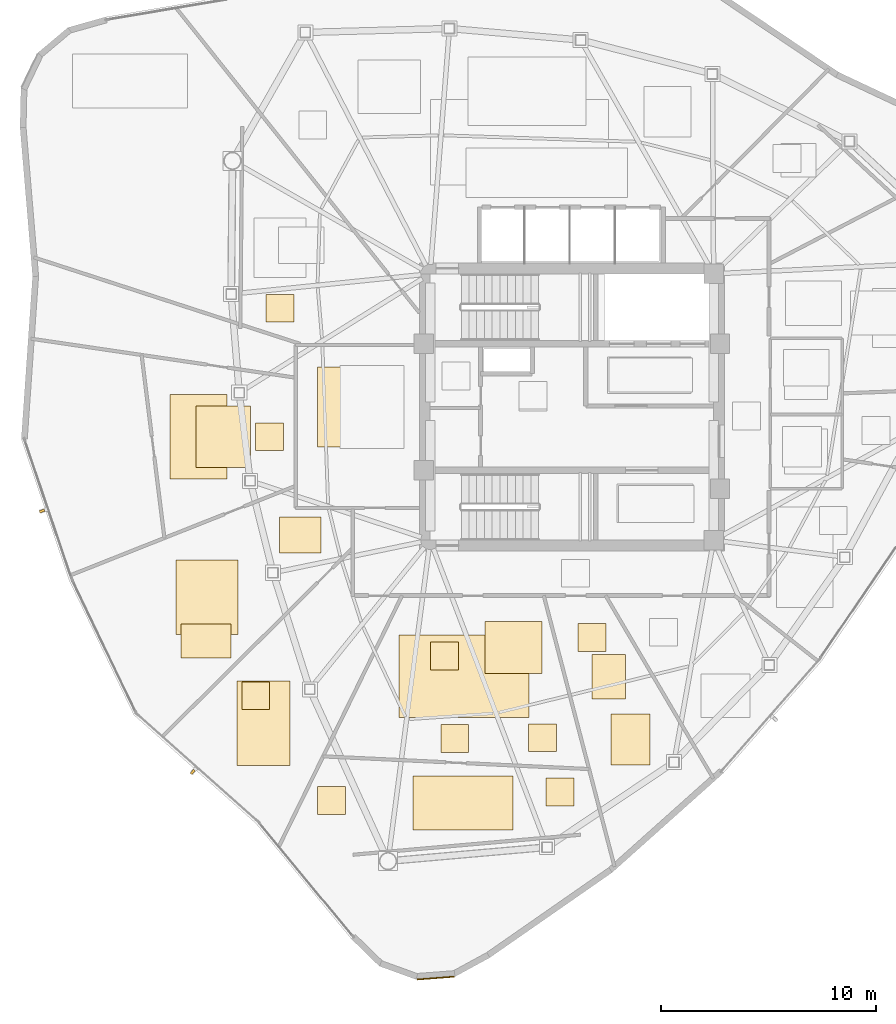
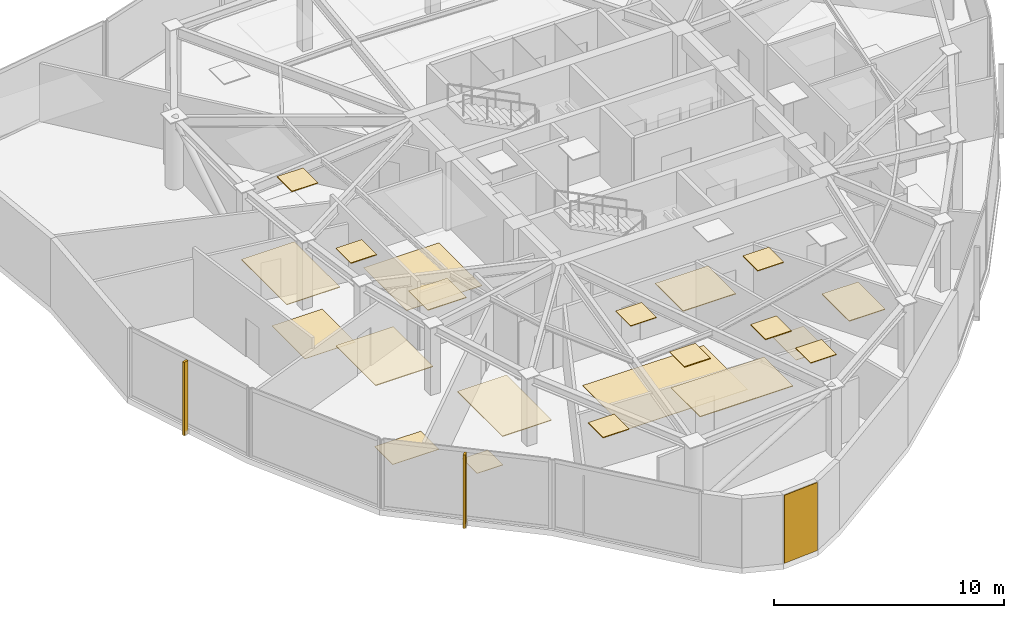
# One storey, part 11 of 13: 22 coverings, 2 shading devices.
"""IFC4 building model written with IfcOpenShell, lengths in metres."""

from ifc_helpers import new_model, si_unit, direction, frame, origin, origin_2d, place, context, subcontext, project, spatial, polyline, rectangle, outline, extrude, source, transform, mapped, material, layer, layer_set, type_object, type_shapes, element, save


model = new_model("IFC4")

# Units and contexts
model_context = context("Model", 3, precision=1e-05, world=origin(), true_north=direction((0.0, 1.0)))
body_context = subcontext(model_context, "Body", "Model", "MODEL_VIEW")
ifc_project = project(units=[si_unit("LENGTHUNIT", "METRE"), si_unit("AREAUNIT", "SQUARE_METRE"), si_unit("VOLUMEUNIT", "CUBIC_METRE"), si_unit("PLANEANGLEUNIT", "RADIAN"), si_unit("MASSUNIT", "GRAM", prefix="KILO")], contexts=[model_context])

# Site, building, storey
site_placement = place(None, origin())
site = spatial("IfcSite", under=ifc_project, at=site_placement, CompositionType="ELEMENT")
building_placement = place(site_placement, origin())
building = spatial("IfcBuilding", under=site, at=building_placement, Name="Tavelor Broadcast Tower", CompositionType="ELEMENT")
storey_placement = place(building_placement, frame((0.0, 0.0, 261.64990234375)))
storey = spatial("IfcBuildingStorey", under=building, at=storey_placement, Name="L62", CompositionType="ELEMENT", Elevation=261.64990234375)

# Coverings
ifc_material_1 = material(Name="Copper-Bronze Anodized Aluminium", Category="aluminium")
ifc_layer_1 = layer(ifc_material_1, 0.050048828125)
ifc_layer_set_1 = layer_set([ifc_layer_1], Name="Copper-Bronze Anodized Aluminium")
covering_type_1 = type_object("IfcCoveringType", Name="Champagne-Bronze Corner Pier Metal Cladding 50 mm", PredefinedType="CLADDING", material=ifc_layer_set_1)
covering_1_placement = place(storey_placement, frame((43.65869140625, 18.410888671875, 0.02001953125), z_axis=(0.0, 0.0, 1.0), x_axis=(0.997119322551, 0.075848906358, 0.0)))
element("IfcCovering", 1, at=covering_1_placement, inside=storey, type_object=covering_type_1, Name="L62 Champagne-Bronze Corner Cladding 13", PredefinedType="CLADDING", context=body_context, shape_type="SweptSolid", body=[
    extrude(rectangle(XDim=1.725830078125, YDim=0.050048828125, at=origin_2d()), origin(), (0.0, 0.0, 1.0), 3.610107421875),
])
ifc_material_2 = material(Name="Acoustic Nylon Carpet Tile")
ifc_layer_2 = layer(ifc_material_2, 0.02001953125)
ifc_layer_set_2 = layer_set([ifc_layer_2], Name="Acoustic Nylon Carpet Tile")
covering_type_2 = type_object("IfcCoveringType", Name="Heavy-Duty Acoustic Broadcast Carpet Tile 20 mm", PredefinedType="FLOORING", material=ifc_layer_set_2)
covering_2_placement = place(storey_placement, origin())
element("IfcCovering", 2, at=covering_2_placement, inside=storey, type_object=covering_type_2, Name="L62 Broadcast Floor Finish 0914", PredefinedType="FLOORING", context=body_context, shape_type="SweptSolid", body=[
    extrude(outline(polyline([(38.15771484375, 43.12890625), (41.942138671875, 43.12890625), (41.942138671875, 46.87060546875), (38.15771484375, 46.87060546875), (38.15771484375, 43.12890625)])), origin(), (0.0, 0.0, 1.0), 0.02001953125),
])
covering_3_placement = place(storey_placement, origin())
element("IfcCovering", 3, at=covering_3_placement, inside=storey, type_object=covering_type_2, Name="L62 Broadcast Floor Finish 0920", PredefinedType="FLOORING", context=body_context, shape_type="SweptSolid", body=[
    extrude(outline(polyline([(50.9326171875, 31.408447265625), (52.499267578125, 31.408447265625), (52.499267578125, 33.478271484375), (50.9326171875, 33.478271484375), (50.9326171875, 31.408447265625)])), origin(), (0.0, 0.0, 1.0), 0.02001953125),
])
covering_4_placement = place(storey_placement, origin())
element("IfcCovering", 4, at=covering_4_placement, inside=storey, type_object=covering_type_2, Name="L62 Broadcast Floor Finish 0921", PredefinedType="FLOORING", context=body_context, shape_type="SweptSolid", body=[
    extrude(outline(polyline([(34.6328125, 30.903564453125), (35.9326171875, 30.903564453125), (35.9326171875, 32.20361328125), (34.6328125, 32.20361328125), (34.6328125, 30.903564453125)])), origin(), (0.0, 0.0, 1.0), 0.02001953125),
])
covering_5_placement = place(storey_placement, origin())
element("IfcCovering", 5, at=covering_5_placement, inside=storey, type_object=covering_type_2, Name="L62 Broadcast Floor Finish 0922", PredefinedType="FLOORING", context=body_context, shape_type="SweptSolid", body=[
    extrude(outline(polyline([(31.7998046875, 33.32080078125), (34.123046875, 33.32080078125), (34.123046875, 34.903564453125), (31.7998046875, 34.903564453125), (31.7998046875, 33.32080078125)])), origin(), (0.0, 0.0, 1.0), 0.02001953125),
])
covering_6_placement = place(storey_placement, origin())
element("IfcCovering", 6, at=covering_6_placement, inside=storey, type_object=covering_type_2, Name="L62 Broadcast Floor Finish 0927", PredefinedType="FLOORING", context=body_context, shape_type="SweptSolid", body=[
    extrude(outline(polyline([(41.9423828125, 30.537109375), (48.00341796875, 30.537109375), (48.00341796875, 34.38232421875), (41.9423828125, 34.38232421875), (41.9423828125, 30.537109375)])), origin(), (0.0, 0.0, 1.0), 0.02001953125),
])
covering_7_placement = place(storey_placement, origin())
element("IfcCovering", 7, at=covering_7_placement, inside=storey, type_object=covering_type_2, Name="L62 Broadcast Floor Finish 0928", PredefinedType="FLOORING", context=body_context, shape_type="SweptSolid", body=[
    extrude(outline(polyline([(32.506591796875, 42.172607421875), (35.033447265625, 42.172607421875), (35.033447265625, 45.0556640625), (32.506591796875, 45.0556640625), (32.506591796875, 42.172607421875)])), origin(), (0.0, 0.0, 1.0), 0.02001953125),
])
ifc_material_3 = material(Name="Acoustic Mineral Fibre Tile")
ifc_layer_3 = layer(ifc_material_3, 0.0400390625)
ifc_layer_set_3 = layer_set([ifc_layer_3], Name="Acoustic Mineral Fibre Tile")
covering_type_3 = type_object("IfcCoveringType", Name="Suspended Acoustic Mineral-Fibre Office Ceiling 40 mm", PredefinedType="CEILING", material=ifc_layer_set_3)
covering_8_placement = place(storey_placement, frame((0.0, 0.0, 3.610107421875)))
element("IfcCovering", 8, at=covering_8_placement, inside=storey, type_object=covering_type_3, Name="L62 Suspended Acoustic Ceiling 2418", PredefinedType="CEILING", context=body_context, shape_type="SweptSolid", body=[
    extrude(outline(polyline([(50.293701171875, 33.622802734375), (51.593505859375, 33.622802734375), (51.593505859375, 34.922607421875), (50.293701171875, 34.922607421875), (50.293701171875, 33.622802734375)])), origin(), (0.0, 0.0, 1.0), 0.0400390625),
])
covering_9_placement = place(storey_placement, frame((0.0, 0.0, 3.610107421875)))
element("IfcCovering", 9, at=covering_9_placement, inside=storey, type_object=covering_type_3, Name="L62 Suspended Acoustic Ceiling 2419", PredefinedType="CEILING", context=body_context, shape_type="SweptSolid", body=[
    extrude(outline(polyline([(51.825927734375, 28.334716796875), (53.635009765625, 28.334716796875), (53.635009765625, 30.705810546875), (51.825927734375, 30.705810546875), (51.825927734375, 28.334716796875)])), origin(), (0.0, 0.0, 1.0), 0.0400390625),
])
covering_10_placement = place(storey_placement, frame((0.0, 0.0, 3.610107421875)))
element("IfcCovering", 10, at=covering_10_placement, inside=storey, type_object=covering_type_3, Name="L62 Suspended Acoustic Ceiling 2420", PredefinedType="CEILING", context=body_context, shape_type="SweptSolid", body=[
    extrude(outline(polyline([(38.149169921875, 26.03662109375), (39.44921875, 26.03662109375), (39.44921875, 27.336669921875), (38.149169921875, 27.336669921875), (38.149169921875, 26.03662109375)])), origin(), (0.0, 0.0, 1.0), 0.0400390625),
])
covering_11_placement = place(storey_placement, frame((0.0, 0.0, 3.610107421875)))
element("IfcCovering", 11, at=covering_11_placement, inside=storey, type_object=covering_type_3, Name="L62 Suspended Acoustic Ceiling 2421", PredefinedType="CEILING", context=body_context, shape_type="SweptSolid", body=[
    extrude(outline(polyline([(42.592529296875, 25.301513671875), (47.2529296875, 25.301513671875), (47.2529296875, 27.82470703125), (42.592529296875, 27.82470703125), (42.592529296875, 25.301513671875)])), origin(), (0.0, 0.0, 1.0), 0.0400390625),
])
covering_12_placement = place(storey_placement, frame((0.0, 0.0, 3.610107421875)))
element("IfcCovering", 12, at=covering_12_placement, inside=storey, type_object=covering_type_3, Name="L62 Suspended Acoustic Ceiling 2422", PredefinedType="CEILING", context=body_context, shape_type="SweptSolid", body=[
    extrude(outline(polyline([(48.787841796875, 26.4248046875), (50.087890625, 26.4248046875), (50.087890625, 27.724609375), (48.787841796875, 27.724609375), (48.787841796875, 26.4248046875)])), origin(), (0.0, 0.0, 1.0), 0.0400390625),
])
covering_13_placement = place(storey_placement, frame((0.0, 0.0, 3.610107421875)))
element("IfcCovering", 13, at=covering_13_placement, inside=storey, type_object=covering_type_3, Name="L62 Suspended Acoustic Ceiling 2423", PredefinedType="CEILING", context=body_context, shape_type="SweptSolid", body=[
    extrude(outline(polyline([(34.412353515625, 28.30810546875), (36.881591796875, 28.30810546875), (36.881591796875, 32.232666015625), (34.412353515625, 32.232666015625), (34.412353515625, 28.30810546875)])), origin(), (0.0, 0.0, 1.0), 0.0400390625),
])
covering_14_placement = place(storey_placement, frame((0.0, 0.0, 3.610107421875)))
element("IfcCovering", 14, at=covering_14_placement, inside=storey, type_object=covering_type_3, Name="L62 Suspended Acoustic Ceiling 2424", PredefinedType="CEILING", context=body_context, shape_type="SweptSolid", body=[
    extrude(outline(polyline([(31.569091796875, 34.40625), (34.451171875, 34.40625), (34.451171875, 37.875244140625), (31.569091796875, 37.875244140625), (31.569091796875, 34.40625)])), origin(), (0.0, 0.0, 1.0), 0.0400390625),
])
covering_15_placement = place(storey_placement, frame((0.0, 0.0, 3.610107421875)))
element("IfcCovering", 15, at=covering_15_placement, inside=storey, type_object=covering_type_3, Name="L62 Suspended Acoustic Ceiling 2425", PredefinedType="CEILING", context=body_context, shape_type="SweptSolid", body=[
    extrude(outline(polyline([(36.384033203125, 38.205810546875), (38.322509765625, 38.205810546875), (38.322509765625, 39.888427734375), (36.384033203125, 39.888427734375), (36.384033203125, 38.205810546875)])), origin(), (0.0, 0.0, 1.0), 0.0400390625),
])
covering_16_placement = place(storey_placement, frame((0.0, 0.0, 3.610107421875)))
element("IfcCovering", 16, at=covering_16_placement, inside=storey, type_object=covering_type_3, Name="L62 Suspended Acoustic Ceiling 2427", PredefinedType="CEILING", context=body_context, shape_type="SweptSolid", body=[
    extrude(outline(polyline([(35.76611328125, 48.947265625), (37.066162109375, 48.947265625), (37.066162109375, 50.247314453125), (35.76611328125, 50.247314453125), (35.76611328125, 48.947265625)])), origin(), (0.0, 0.0, 1.0), 0.0400390625),
])
covering_17_placement = place(storey_placement, frame((0.0, 0.0, 3.610107421875)))
element("IfcCovering", 17, at=covering_17_placement, inside=storey, type_object=covering_type_3, Name="L62 Suspended Acoustic Ceiling 2437", PredefinedType="CEILING", context=body_context, shape_type="SweptSolid", body=[
    extrude(outline(polyline([(43.417236328125, 32.764404296875), (44.71728515625, 32.764404296875), (44.71728515625, 34.064208984375), (43.417236328125, 34.064208984375), (43.417236328125, 32.764404296875)])), origin(), (0.0, 0.0, 1.0), 0.0400390625),
])
covering_18_placement = place(storey_placement, frame((0.0, 0.0, 3.610107421875)))
element("IfcCovering", 18, at=covering_18_placement, inside=storey, type_object=covering_type_3, Name="L62 Suspended Acoustic Ceiling 2438", PredefinedType="CEILING", context=body_context, shape_type="SweptSolid", body=[
    extrude(outline(polyline([(45.95263671875, 32.59814453125), (48.600341796875, 32.59814453125), (48.600341796875, 35.02099609375), (45.95263671875, 35.02099609375), (45.95263671875, 32.59814453125)])), origin(), (0.0, 0.0, 1.0), 0.0400390625),
])
covering_19_placement = place(storey_placement, frame((0.0, 0.0, 3.610107421875)))
element("IfcCovering", 19, at=covering_19_placement, inside=storey, type_object=covering_type_3, Name="L62 Suspended Acoustic Ceiling 2439", PredefinedType="CEILING", context=body_context, shape_type="SweptSolid", body=[
    extrude(outline(polyline([(47.9775390625, 28.949462890625), (49.277587890625, 28.949462890625), (49.277587890625, 30.24951171875), (47.9775390625, 30.24951171875), (47.9775390625, 28.949462890625)])), origin(), (0.0, 0.0, 1.0), 0.0400390625),
])
covering_20_placement = place(storey_placement, frame((0.0, 0.0, 3.610107421875)))
element("IfcCovering", 20, at=covering_20_placement, inside=storey, type_object=covering_type_3, Name="L62 Suspended Acoustic Ceiling 2440", PredefinedType="CEILING", context=body_context, shape_type="SweptSolid", body=[
    extrude(outline(polyline([(43.898193359375, 28.913818359375), (45.197998046875, 28.913818359375), (45.197998046875, 30.2138671875), (43.898193359375, 30.2138671875), (43.898193359375, 28.913818359375)])), origin(), (0.0, 0.0, 1.0), 0.0400390625),
])
covering_21_placement = place(storey_placement, frame((0.0, 0.0, 3.610107421875)))
element("IfcCovering", 21, at=covering_21_placement, inside=storey, type_object=covering_type_3, Name="L62 Suspended Acoustic Ceiling 2441", PredefinedType="CEILING", context=body_context, shape_type="SweptSolid", body=[
    extrude(outline(polyline([(31.28759765625, 41.639404296875), (33.94873046875, 41.639404296875), (33.94873046875, 45.589111328125), (31.28759765625, 45.589111328125), (31.28759765625, 41.639404296875)])), origin(), (0.0, 0.0, 1.0), 0.0400390625),
])
covering_22_placement = place(storey_placement, frame((0.0, 0.0, 3.610107421875)))
element("IfcCovering", 22, at=covering_22_placement, inside=storey, type_object=covering_type_3, Name="L62 Suspended Acoustic Ceiling 2442", PredefinedType="CEILING", context=body_context, shape_type="SweptSolid", body=[
    extrude(outline(polyline([(35.267822265625, 42.964111328125), (36.56787109375, 42.964111328125), (36.56787109375, 44.26416015625), (35.267822265625, 44.26416015625), (35.267822265625, 42.964111328125)])), origin(), (0.0, 0.0, 1.0), 0.0400390625),
])

# Shading devices
ifc_material_4 = material(Name="Kiln-Fired Glazed Terracotta", Category="masonry")
shading_device_type = type_object("IfcShadingDeviceType", Name="Extruded Terracotta Baguette Sun-Screen 110x240", PredefinedType="JALOUSIE", material=ifc_material_4)
shared_shape = source(origin(), body_context, "Body", "SweptSolid", [
    extrude(rectangle(XDim=0.110107421875, YDim=0.239990234375, at=origin_2d()), origin(), (0.0, 0.0, 1.0), 3.889892578125),
])
type_shapes(shading_device_type, [shared_shape])
for number, where, z_axis, x_axis, name in (
    (23, (25.32763671875, 40.156982421875, -0.259765625), (0.0, 0.0, 1.0), (0.320943609807, -0.947098304995, 0.0), "L62 Terracotta Baguette Fin 643"),
    (24, (32.344970703125, 28.005126953125, -0.259765625), (0.0, 0.0, 1.0), (0.747334400366, -0.664448112368, 0.0), "L62 Terracotta Baguette Fin 644"),
):
    element("IfcShadingDevice", number, at=place(storey_placement, frame(where, z_axis=z_axis, x_axis=x_axis)), inside=storey, type_object=shading_device_type, Name=name, PredefinedType="JALOUSIE", context=body_context, shape_type="MappedRepresentation", body=[
        mapped(shared_shape, transform((0.0, 0.0, 0.0), scale=1.0)),
    ])

save(model, "model.ifc")
